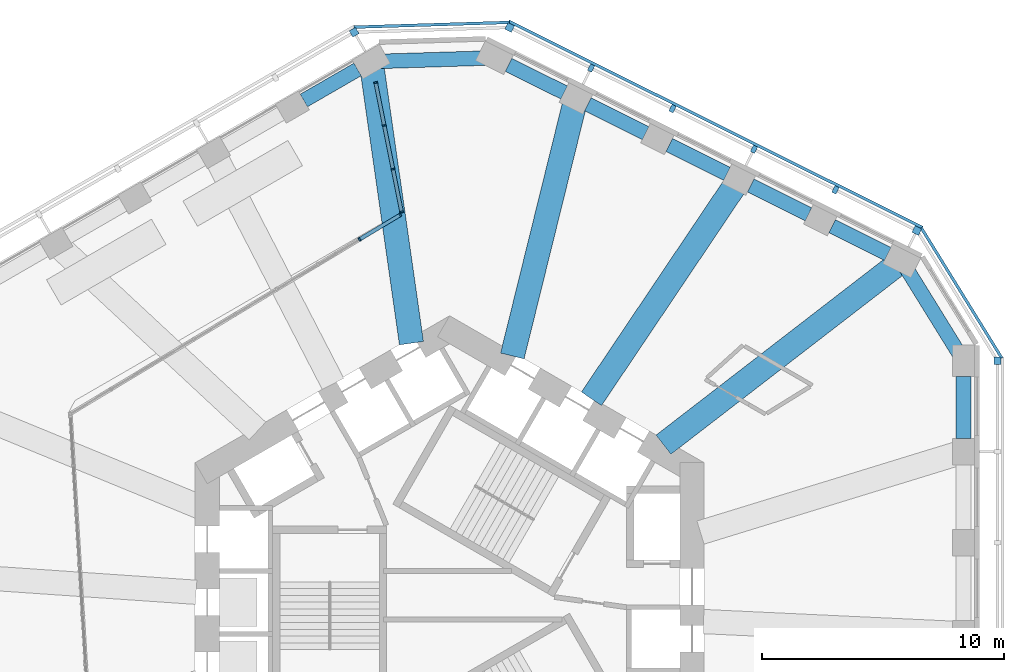
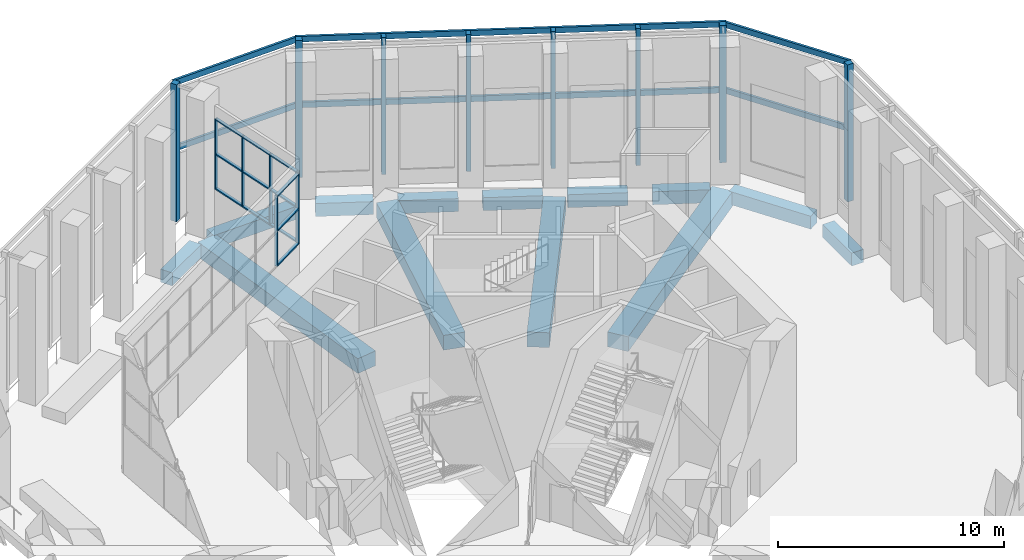
# One storey, part 7 of 19: 32 members, 13 beams, 7 elements without a shape of their own.
"""IFC4 building model written with IfcOpenShell, lengths in metres."""

from ifc_helpers import new_model, si_unit, direction, frame, origin, origin_2d, place, context, subcontext, project, spatial, rectangle, extrude, material, material_profile, profile_set, type_object, element, aggregate, save


model = new_model("IFC4")

# Units and contexts
model_context = context("Model", 3, precision=1e-05, world=origin(), true_north=direction((0.0, 1.0)))
body_context = subcontext(model_context, "Body", "Model", "MODEL_VIEW")
ifc_project = project(units=[si_unit("LENGTHUNIT", "METRE"), si_unit("AREAUNIT", "SQUARE_METRE"), si_unit("VOLUMEUNIT", "CUBIC_METRE"), si_unit("PLANEANGLEUNIT", "RADIAN"), si_unit("MASSUNIT", "GRAM", prefix="KILO")], contexts=[model_context])

# Site, building, storey
site_placement = place(None, origin())
site = spatial("IfcSite", under=ifc_project, at=site_placement, CompositionType="ELEMENT")
building_placement = place(site_placement, origin())
building = spatial("IfcBuilding", under=site, at=building_placement, Name="Vanh Sen Convention Tower", CompositionType="ELEMENT")
storey_placement = place(building_placement, frame((0.0, 0.0, 139.199951171875)))
storey = spatial("IfcBuildingStorey", under=building, at=storey_placement, Name="L34", CompositionType="ELEMENT", Elevation=139.199951171875)

# Curtain wall, members
ifc_material_1 = material(Name="Aluminium structural glazing system", Category="aluminium")
curtain_wall_type_1 = type_object("IfcCurtainWallType", Name="Sky garden structural glazing", PredefinedType="NOTDEFINED", material=ifc_material_1)
curtain_wall_1_placement = place(storey_placement, origin())
curtain_wall_1 = element("IfcCurtainWall", 1, at=curtain_wall_1_placement, inside=storey, type_object=curtain_wall_type_1, Name="Winter garden glazing 4 L34", PredefinedType="NOTDEFINED")
ifc_material_2 = material(Name="Aluminium mullion", Category="aluminium")
ifc_material_profile_1 = material_profile(ifc_material_2, rectangle(XDim=0.14990234375, YDim=0.070068359375, at=origin_2d()), Name="Garden glazing mullion 70 x 150")
ifc_profile_set_1 = profile_set([ifc_material_profile_1], Name="Aluminium mullion")
member_type_1 = type_object("IfcMemberType", Name="Garden glazing mullion 70 x 150", PredefinedType="MULLION", material=ifc_profile_set_1)
member_1_placement = place(storey_placement, frame((-3.716064453125, 15.2763671875, 2.60009765625), z_axis=(0.0, 0.0, 1.0), x_axis=(-0.516175887438, 0.856482605327, 0.0)))
member_1 = element("IfcMember", 2, at=member_1_placement, type_object=member_type_1, Name="CW5 mullion 8", PredefinedType="MULLION", context=body_context, shape_type="SweptSolid", body=[
    extrude(rectangle(XDim=0.14990234375, YDim=0.070068359375, at=origin_2d()), origin(), (0.0, 0.0, 1.0), 3.820068359375),
])
member_2_placement = place(storey_placement, frame((-2.035888671875, 16.288818359375, 2.60009765625), z_axis=(0.0, 0.0, 1.0), x_axis=(-0.516175887438, 0.856482605327, 0.0)))
member_2 = element("IfcMember", 3, at=member_2_placement, type_object=member_type_1, Name="CW5 mullion 9", PredefinedType="MULLION", context=body_context, shape_type="SweptSolid", body=[
    extrude(rectangle(XDim=0.14990234375, YDim=0.070068359375, at=origin_2d()), origin(), (0.0, 0.0, 1.0), 3.820068359375),
])

curtain_wall_2_placement = place(storey_placement, origin())
curtain_wall_2 = element("IfcCurtainWall", 4, at=curtain_wall_2_placement, inside=storey, type_object=curtain_wall_type_1, Name="Winter garden glazing 5 L34", PredefinedType="NOTDEFINED")
member_3_placement = place(storey_placement, frame((-1.981201171875, 16.412109375, 2.60009765625), z_axis=(0.0, 0.0, 1.0), x_axis=(-0.980445622684, -0.196790195284, 0.0)))
member_3 = element("IfcMember", 5, at=member_3_placement, type_object=member_type_1, Name="CW5 mullion 1", PredefinedType="MULLION", context=body_context, shape_type="SweptSolid", body=[
    extrude(rectangle(XDim=0.14990234375, YDim=0.070068359375, at=origin_2d()), origin(), (0.0, 0.0, 1.0), 3.820068359375),
])
member_4_placement = place(storey_placement, frame((-2.33544921875, 18.17724609375, 2.60009765625), z_axis=(0.0, 0.0, 1.0), x_axis=(-0.980445622684, -0.196790195284, 0.0)))
member_4 = element("IfcMember", 6, at=member_4_placement, type_object=member_type_1, Name="CW5 mullion 2", PredefinedType="MULLION", context=body_context, shape_type="SweptSolid", body=[
    extrude(rectangle(XDim=0.14990234375, YDim=0.070068359375, at=origin_2d()), origin(), (0.0, 0.0, 1.0), 3.820068359375),
])
member_5_placement = place(storey_placement, frame((-2.69677734375, 19.976806640625, 2.60009765625), z_axis=(0.0, 0.0, 1.0), x_axis=(-0.980445622684, -0.196790195284, 0.0)))
member_5 = element("IfcMember", 7, at=member_5_placement, type_object=member_type_1, Name="CW5 mullion 3", PredefinedType="MULLION", context=body_context, shape_type="SweptSolid", body=[
    extrude(rectangle(XDim=0.14990234375, YDim=0.070068359375, at=origin_2d()), origin(), (0.0, 0.0, 1.0), 3.820068359375),
])
member_6_placement = place(storey_placement, frame((-3.051025390625, 21.74169921875, 2.60009765625), z_axis=(0.0, 0.0, 1.0), x_axis=(-0.980445622684, -0.196790195284, 0.0)))
member_6 = element("IfcMember", 8, at=member_6_placement, type_object=member_type_1, Name="CW5 mullion 4", PredefinedType="MULLION", context=body_context, shape_type="SweptSolid", body=[
    extrude(rectangle(XDim=0.14990234375, YDim=0.070068359375, at=origin_2d()), origin(), (0.0, 0.0, 1.0), 3.820068359375),
])

# Member
ifc_material_3 = material(Name="Aluminium transom", Category="aluminium")
ifc_material_profile_2 = material_profile(ifc_material_3, rectangle(XDim=0.14990234375, YDim=0.070068359375, at=origin_2d()), Name="Garden glazing transom 150 x 70")
ifc_profile_set_2 = profile_set([ifc_material_profile_2], Name="Aluminium transom")
member_type_2 = type_object("IfcMemberType", Name="Garden glazing transom 150 x 70", PredefinedType="USERDEFINED", material=ifc_profile_set_2)
member_7_placement = place(storey_placement, frame((-3.68603515625, 15.29443359375, 2.635009765625), z_axis=(0.85650054286, 0.516146122799, 0.0), x_axis=(-0.516146122799, 0.85650054286, 0.0)))
member_7 = element("IfcMember", 9, at=member_7_placement, type_object=member_type_2, Name="CW5 transom 8.1", ObjectType="TRANSOM", PredefinedType="USERDEFINED", context=body_context, shape_type="SweptSolid", body=[
    extrude(rectangle(XDim=0.14990234375, YDim=0.070068359375, at=origin_2d()), origin(), (0.0, 0.0, 1.0), 1.8916015625),
])

member_8_placement = place(storey_placement, frame((-3.68603515625, 15.29443359375, 4.510009765625), z_axis=(0.85650054286, 0.516146122799, 0.0), x_axis=(-0.516146122799, 0.85650054286, 0.0)))
member_8 = element("IfcMember", 10, at=member_8_placement, type_object=member_type_2, Name="CW5 transom 8.2", ObjectType="TRANSOM", PredefinedType="USERDEFINED", context=body_context, shape_type="SweptSolid", body=[
    extrude(rectangle(XDim=0.14990234375, YDim=0.070068359375, at=origin_2d()), origin(), (0.0, 0.0, 1.0), 1.8916015625),
])

member_9_placement = place(storey_placement, frame((-3.68603515625, 15.29443359375, 6.385009765625), z_axis=(0.85650054286, 0.516146122799, 0.0), x_axis=(-0.516146122799, 0.85650054286, 0.0)))
member_9 = element("IfcMember", 11, at=member_9_placement, type_object=member_type_2, Name="CW5 transom 8.3", ObjectType="TRANSOM", PredefinedType="USERDEFINED", context=body_context, shape_type="SweptSolid", body=[
    extrude(rectangle(XDim=0.14990234375, YDim=0.070068359375, at=origin_2d()), origin(), (0.0, 0.0, 1.0), 1.8916015625),
])

aggregate(curtain_wall_1, [member_1, member_2, member_7, member_8, member_9])

member_10_placement = place(storey_placement, frame((-1.98828125, 16.446533203125, 2.635009765625), z_axis=(-0.196685907244, 0.980466549094, 0.0), x_axis=(-0.980466549094, -0.196685907244, 0.0)))
member_10 = element("IfcMember", 12, at=member_10_placement, type_object=member_type_2, Name="CW5 transom 1.1", ObjectType="TRANSOM", PredefinedType="USERDEFINED", context=body_context, shape_type="SweptSolid", body=[
    extrude(rectangle(XDim=0.14990234375, YDim=0.070068359375, at=origin_2d()), origin(), (0.0, 0.0, 1.0), 1.730224609375),
])

member_11_placement = place(storey_placement, frame((-1.98828125, 16.446533203125, 4.510009765625), z_axis=(-0.196685907244, 0.980466549094, 0.0), x_axis=(-0.980466549094, -0.196685907244, 0.0)))
member_11 = element("IfcMember", 13, at=member_11_placement, type_object=member_type_2, Name="CW5 transom 1.2", ObjectType="TRANSOM", PredefinedType="USERDEFINED", context=body_context, shape_type="SweptSolid", body=[
    extrude(rectangle(XDim=0.14990234375, YDim=0.070068359375, at=origin_2d()), origin(), (0.0, 0.0, 1.0), 1.730224609375),
])

member_12_placement = place(storey_placement, frame((-1.98828125, 16.446533203125, 6.385009765625), z_axis=(-0.196685907244, 0.980466549094, 0.0), x_axis=(-0.980466549094, -0.196685907244, 0.0)))
member_12 = element("IfcMember", 14, at=member_12_placement, type_object=member_type_2, Name="CW5 transom 1.3", ObjectType="TRANSOM", PredefinedType="USERDEFINED", context=body_context, shape_type="SweptSolid", body=[
    extrude(rectangle(XDim=0.14990234375, YDim=0.070068359375, at=origin_2d()), origin(), (0.0, 0.0, 1.0), 1.730224609375),
])

member_13_placement = place(storey_placement, frame((-2.342529296875, 18.211669921875, 2.635009765625), z_axis=(-0.196807609947, 0.980442127138, 0.0), x_axis=(-0.980442127138, -0.196807609947, 0.0)))
member_13 = element("IfcMember", 15, at=member_13_placement, type_object=member_type_2, Name="CW5 transom 2.1", ObjectType="TRANSOM", PredefinedType="USERDEFINED", context=body_context, shape_type="SweptSolid", body=[
    extrude(rectangle(XDim=0.14990234375, YDim=0.070068359375, at=origin_2d()), origin(), (0.0, 0.0, 1.0), 1.76513671875),
])

member_14_placement = place(storey_placement, frame((-2.342529296875, 18.211669921875, 4.510009765625), z_axis=(-0.196807609947, 0.980442127138, 0.0), x_axis=(-0.980442127138, -0.196807609947, 0.0)))
member_14 = element("IfcMember", 16, at=member_14_placement, type_object=member_type_2, Name="CW5 transom 2.2", ObjectType="TRANSOM", PredefinedType="USERDEFINED", context=body_context, shape_type="SweptSolid", body=[
    extrude(rectangle(XDim=0.14990234375, YDim=0.070068359375, at=origin_2d()), origin(), (0.0, 0.0, 1.0), 1.76513671875),
])

member_15_placement = place(storey_placement, frame((-2.342529296875, 18.211669921875, 6.385009765625), z_axis=(-0.196807609947, 0.980442127138, 0.0), x_axis=(-0.980442127138, -0.196807609947, 0.0)))
member_15 = element("IfcMember", 17, at=member_15_placement, type_object=member_type_2, Name="CW5 transom 2.3", ObjectType="TRANSOM", PredefinedType="USERDEFINED", context=body_context, shape_type="SweptSolid", body=[
    extrude(rectangle(XDim=0.14990234375, YDim=0.070068359375, at=origin_2d()), origin(), (0.0, 0.0, 1.0), 1.76513671875),
])

member_16_placement = place(storey_placement, frame((-2.70361328125, 20.010986328125, 2.635009765625), z_axis=(-0.196821537927, 0.980439331222, 0.0), x_axis=(-0.980439331222, -0.196821537927, 0.0)))
member_16 = element("IfcMember", 18, at=member_16_placement, type_object=member_type_2, Name="CW5 transom 3.1", ObjectType="TRANSOM", PredefinedType="USERDEFINED", context=body_context, shape_type="SweptSolid", body=[
    extrude(rectangle(XDim=0.14990234375, YDim=0.070068359375, at=origin_2d()), origin(), (0.0, 0.0, 1.0), 1.73046875),
])

member_17_placement = place(storey_placement, frame((-2.70361328125, 20.010986328125, 4.510009765625), z_axis=(-0.196821537927, 0.980439331222, 0.0), x_axis=(-0.980439331222, -0.196821537927, 0.0)))
member_17 = element("IfcMember", 19, at=member_17_placement, type_object=member_type_2, Name="CW5 transom 3.2", ObjectType="TRANSOM", PredefinedType="USERDEFINED", context=body_context, shape_type="SweptSolid", body=[
    extrude(rectangle(XDim=0.14990234375, YDim=0.070068359375, at=origin_2d()), origin(), (0.0, 0.0, 1.0), 1.73046875),
])

member_18_placement = place(storey_placement, frame((-2.70361328125, 20.010986328125, 6.385009765625), z_axis=(-0.196821537927, 0.980439331222, 0.0), x_axis=(-0.980439331222, -0.196821537927, 0.0)))
member_18 = element("IfcMember", 20, at=member_18_placement, type_object=member_type_2, Name="CW5 transom 3.3", ObjectType="TRANSOM", PredefinedType="USERDEFINED", context=body_context, shape_type="SweptSolid", body=[
    extrude(rectangle(XDim=0.14990234375, YDim=0.070068359375, at=origin_2d()), origin(), (0.0, 0.0, 1.0), 1.73046875),
])

aggregate(curtain_wall_2, [member_3, member_4, member_5, member_6, member_10, member_11, member_12, member_13, member_14, member_15, member_16, member_17, member_18])

# Curtain wall, member
ifc_material_4 = material(Name="Concrete C50/60", Category="concrete")
curtain_wall_type_2 = type_object("IfcCurtainWallType", Name="Outer skin office zone", PredefinedType="NOTDEFINED", material=ifc_material_4)
curtain_wall_3_placement = place(storey_placement, origin())
curtain_wall_3 = element("IfcCurtainWall", 21, at=curtain_wall_3_placement, inside=storey, type_object=curtain_wall_type_2, Name="OUTER SKIN E L34", PredefinedType="NOTDEFINED")
ifc_material_profile_3 = material_profile(ifc_material_4, rectangle(XDim=0.300048828125, YDim=0.300048828125, at=origin_2d()), Name="Outer skin precast corner fin 300 x 300")
ifc_profile_set_3 = profile_set([ifc_material_profile_3], Name="Concrete C50/60")
member_type_3 = type_object("IfcMemberType", Name="Outer skin precast corner fin 300 x 300", PredefinedType="MULLION", material=ifc_profile_set_3)
member_19_placement = place(storey_placement, frame((22.60009765625, 10.26953125, 0.0), z_axis=(0.0, 0.0, 1.0), x_axis=(0.0, 1.0, 0.0)))
member_19 = element("IfcMember", 22, at=member_19_placement, type_object=member_type_3, Name="OUTER SKIN CORNER FIN 6 E L34", PredefinedType="MULLION", context=body_context, shape_type="SweptSolid", body=[
    extrude(rectangle(XDim=0.300048828125, YDim=0.300048828125, at=origin_2d()), origin(), (0.0, 0.0, 1.0), 7.400146484375),
])
aggregate(curtain_wall_3, [member_19])

# Curtain wall, members
curtain_wall_4_placement = place(storey_placement, origin())
curtain_wall_4 = element("IfcCurtainWall", 23, at=curtain_wall_4_placement, inside=storey, type_object=curtain_wall_type_2, Name="OUTER SKIN NE L34", PredefinedType="NOTDEFINED")
member_20_placement = place(storey_placement, frame((19.274658203125, 15.643310546875, 0.0), z_axis=(0.0, 0.0, 1.0), x_axis=(-0.894934361602, 0.44619781311, 0.0)))
member_20 = element("IfcMember", 24, at=member_20_placement, type_object=member_type_3, Name="OUTER SKIN CORNER FIN 1 NE L34", PredefinedType="MULLION", context=body_context, shape_type="SweptSolid", body=[
    extrude(rectangle(XDim=0.300048828125, YDim=0.300048828125, at=origin_2d()), origin(), (0.0, 0.0, 1.0), 7.400146484375),
])
member_21_placement = place(storey_placement, frame((2.476318359375, 24.0185546875, 0.0), z_axis=(0.0, 0.0, 1.0), x_axis=(-0.894934361602, 0.44619781311, 0.0)))
member_21 = element("IfcMember", 25, at=member_21_placement, type_object=member_type_3, Name="OUTER SKIN CORNER FIN 6 NE L34", PredefinedType="MULLION", context=body_context, shape_type="SweptSolid", body=[
    extrude(rectangle(XDim=0.300048828125, YDim=0.300048828125, at=origin_2d()), origin(), (0.0, 0.0, 1.0), 7.400146484375),
])

# Curtain wall, member
curtain_wall_5_placement = place(storey_placement, origin())
curtain_wall_5 = element("IfcCurtainWall", 26, at=curtain_wall_5_placement, inside=storey, type_object=curtain_wall_type_2, Name="OUTER SKIN NW L34", PredefinedType="NOTDEFINED")
member_22_placement = place(storey_placement, frame((-3.93798828125, 23.822509765625, 0.0), z_axis=(0.0, 0.0, 1.0), x_axis=(-0.866025403784, -0.5, 0.0)))
member_22 = element("IfcMember", 27, at=member_22_placement, type_object=member_type_3, Name="OUTER SKIN CORNER FIN 1 NW L34", PredefinedType="MULLION", context=body_context, shape_type="SweptSolid", body=[
    extrude(rectangle(XDim=0.300048828125, YDim=0.300048828125, at=origin_2d()), origin(), (0.0, 0.0, 1.0), 7.400146484375),
])
aggregate(curtain_wall_5, [member_22])

# Member
ifc_material_profile_4 = material_profile(ifc_material_4, rectangle(XDim=0.199951171875, YDim=0.300048828125, at=origin_2d()), Name="Outer skin precast fin 200 x 300")
ifc_profile_set_4 = profile_set([ifc_material_profile_4], Name="Concrete C50/60")
member_type_4 = type_object("IfcMemberType", Name="Outer skin precast fin 200 x 300", PredefinedType="MULLION", material=ifc_profile_set_4)
member_23_placement = place(storey_placement, frame((15.9150390625, 17.318359375, 0.0), z_axis=(0.0, 0.0, 1.0), x_axis=(-0.894934361602, 0.44619781311, 0.0)))
member_23 = element("IfcMember", 28, at=member_23_placement, type_object=member_type_4, Name="OUTER SKIN fin 2 NE L34", PredefinedType="MULLION", context=body_context, shape_type="SweptSolid", body=[
    extrude(rectangle(XDim=0.199951171875, YDim=0.300048828125, at=origin_2d()), origin(), (0.0, 0.0, 1.0), 7.400146484375),
])

member_24_placement = place(storey_placement, frame((12.555419921875, 18.993408203125, 0.0), z_axis=(0.0, 0.0, 1.0), x_axis=(-0.894934361602, 0.44619781311, 0.0)))
member_24 = element("IfcMember", 29, at=member_24_placement, type_object=member_type_4, Name="OUTER SKIN fin 3 NE L34", PredefinedType="MULLION", context=body_context, shape_type="SweptSolid", body=[
    extrude(rectangle(XDim=0.199951171875, YDim=0.300048828125, at=origin_2d()), origin(), (0.0, 0.0, 1.0), 7.400146484375),
])

member_25_placement = place(storey_placement, frame((9.195556640625, 20.66845703125, 0.0), z_axis=(0.0, 0.0, 1.0), x_axis=(-0.894934361602, 0.44619781311, 0.0)))
member_25 = element("IfcMember", 30, at=member_25_placement, type_object=member_type_4, Name="OUTER SKIN fin 4 NE L34", PredefinedType="MULLION", context=body_context, shape_type="SweptSolid", body=[
    extrude(rectangle(XDim=0.199951171875, YDim=0.300048828125, at=origin_2d()), origin(), (0.0, 0.0, 1.0), 7.400146484375),
])

member_26_placement = place(storey_placement, frame((5.8359375, 22.343505859375, 0.0), z_axis=(0.0, 0.0, 1.0), x_axis=(-0.894934361602, 0.44619781311, 0.0)))
member_26 = element("IfcMember", 31, at=member_26_placement, type_object=member_type_4, Name="OUTER SKIN fin 5 NE L34", PredefinedType="MULLION", context=body_context, shape_type="SweptSolid", body=[
    extrude(rectangle(XDim=0.199951171875, YDim=0.300048828125, at=origin_2d()), origin(), (0.0, 0.0, 1.0), 7.400146484375),
])

# Curtain wall, members
curtain_wall_6_placement = place(storey_placement, origin())
curtain_wall_6 = element("IfcCurtainWall", 32, at=curtain_wall_6_placement, inside=storey, type_object=curtain_wall_type_2, Name="OUTER SKIN CH1 L34", PredefinedType="NOTDEFINED")
ifc_material_profile_5 = material_profile(ifc_material_4, rectangle(XDim=0.1201171875, YDim=0.300048828125, at=origin_2d()), Name="Outer skin precast spandrel band 300 x 120")
ifc_profile_set_5 = profile_set([ifc_material_profile_5], Name="Concrete C50/60")
member_type_5 = type_object("IfcMemberType", Name="Outer skin precast spandrel band 300 x 120", PredefinedType="USERDEFINED", material=ifc_profile_set_5)
member_27_placement = place(storey_placement, frame((22.778564453125, 10.3798828125, 7.25), z_axis=(-0.526173726926, 0.850377098171, 0.0), x_axis=(-0.850377098171, -0.526173726926, 0.0)))
member_27 = element("IfcMember", 33, at=member_27_placement, type_object=member_type_5, Name="OUTER SKIN spandrel band CH1 L34", ObjectType="TRANSOM", PredefinedType="USERDEFINED", context=body_context, shape_type="SweptSolid", body=[
    extrude(rectangle(XDim=0.1201171875, YDim=0.300048828125, at=origin_2d()), origin(), (0.0, 0.0, 1.0), 6.319580078125),
])
member_28_placement = place(storey_placement, frame((22.778564453125, 10.3798828125, 3.699951171875), z_axis=(-0.526173726926, 0.850377098171, 0.0), x_axis=(-0.850377098171, -0.526173726926, 0.0)))
member_28 = element("IfcMember", 34, at=member_28_placement, type_object=member_type_5, Name="OUTER SKIN spandrel band CH1 L34 mid", ObjectType="TRANSOM", PredefinedType="USERDEFINED", context=body_context, shape_type="SweptSolid", body=[
    extrude(rectangle(XDim=0.1201171875, YDim=0.300048828125, at=origin_2d()), origin(), (0.0, 0.0, 1.0), 6.319580078125),
])
aggregate(curtain_wall_6, [member_27, member_28])

# Member
member_29_placement = place(storey_placement, frame((19.502685546875, 15.764404296875, 7.25), z_axis=(-0.894941234474, 0.446184027996, 0.0), x_axis=(-0.446184027996, -0.894941234474, 0.0)))
member_29 = element("IfcMember", 35, at=member_29_placement, type_object=member_type_5, Name="OUTER SKIN spandrel band NE L34", ObjectType="TRANSOM", PredefinedType="USERDEFINED", context=body_context, shape_type="SweptSolid", body=[
    extrude(rectangle(XDim=0.1201171875, YDim=0.300048828125, at=origin_2d()), origin(), (0.0, 0.0, 1.0), 19.07080078125),
])

member_30_placement = place(storey_placement, frame((19.502685546875, 15.764404296875, 3.699951171875), z_axis=(-0.894941234474, 0.446184027996, 0.0), x_axis=(-0.446184027996, -0.894941234474, 0.0)))
member_30 = element("IfcMember", 36, at=member_30_placement, type_object=member_type_5, Name="OUTER SKIN spandrel band NE L34 mid", ObjectType="TRANSOM", PredefinedType="USERDEFINED", context=body_context, shape_type="SweptSolid", body=[
    extrude(rectangle(XDim=0.1201171875, YDim=0.300048828125, at=origin_2d()), origin(), (0.0, 0.0, 1.0), 19.07080078125),
])

aggregate(curtain_wall_4, [member_20, member_23, member_24, member_25, member_26, member_21, member_29, member_30])

# Curtain wall, members
curtain_wall_7_placement = place(storey_placement, origin())
curtain_wall_7 = element("IfcCurtainWall", 37, at=curtain_wall_7_placement, inside=storey, type_object=curtain_wall_type_2, Name="OUTER SKIN CH2 L34", PredefinedType="NOTDEFINED")
member_31_placement = place(storey_placement, frame((2.4697265625, 24.228515625, 7.25), z_axis=(-0.999533221695, -0.030550592913, 0.0), x_axis=(0.030550592913, -0.999533221695, 0.0)))
member_31 = element("IfcMember", 38, at=member_31_placement, type_object=member_type_5, Name="OUTER SKIN spandrel band CH2 L34", ObjectType="TRANSOM", PredefinedType="USERDEFINED", context=body_context, shape_type="SweptSolid", body=[
    extrude(rectangle(XDim=0.1201171875, YDim=0.300048828125, at=origin_2d()), origin(), (0.0, 0.0, 1.0), 6.4169921875),
])
member_32_placement = place(storey_placement, frame((2.4697265625, 24.228515625, 3.699951171875), z_axis=(-0.999533221695, -0.030550592913, 0.0), x_axis=(0.030550592913, -0.999533221695, 0.0)))
member_32 = element("IfcMember", 39, at=member_32_placement, type_object=member_type_5, Name="OUTER SKIN spandrel band CH2 L34 mid", ObjectType="TRANSOM", PredefinedType="USERDEFINED", context=body_context, shape_type="SweptSolid", body=[
    extrude(rectangle(XDim=0.1201171875, YDim=0.300048828125, at=origin_2d()), origin(), (0.0, 0.0, 1.0), 6.4169921875),
])
aggregate(curtain_wall_7, [member_31, member_32])

# Beams
ifc_material_5 = material(Name="Concrete C50/60", Category="concrete")
ifc_material_profile_6 = material_profile(ifc_material_5, rectangle(XDim=1.0, YDim=0.800048828125, at=origin_2d()), Name="RC 1000X800")
ifc_profile_set_6 = profile_set([ifc_material_profile_6], Name="Concrete C50/60")
beam_type_1 = type_object("IfcBeamType", Name="Radial floor beam 1000 x 800", PredefinedType="BEAM", material=ifc_profile_set_6)
beam_1_placement = place(storey_placement, frame((18.449951171875, 14.236083984375, -0.75), z_axis=(-0.79170818872, -0.610899454832, 0.0), x_axis=(0.610899454832, -0.79170818872, 0.0)))
element("IfcBeam", 40, at=beam_1_placement, inside=storey, type_object=beam_type_1, Name="Radial beam 04 L34", PredefinedType="BEAM", context=body_context, shape_type="SweptSolid", body=[
    extrude(rectangle(XDim=1.0, YDim=0.800048828125, at=origin_2d()), origin(), (0.0, 0.0, 1.0), 12.161865234375),
])
beam_2_placement = place(storey_placement, frame((11.716552734375, 17.422119140625, -0.75), z_axis=(-0.558062126182, -0.829799170475, 0.0), x_axis=(0.829799170475, -0.558062126182, 0.0)))
element("IfcBeam", 41, at=beam_2_placement, inside=storey, type_object=beam_type_1, Name="Radial beam 05 L34", PredefinedType="BEAM", context=body_context, shape_type="SweptSolid", body=[
    extrude(rectangle(XDim=1.0, YDim=0.800048828125, at=origin_2d()), origin(), (0.0, 0.0, 1.0), 10.510009765625),
])
beam_3_placement = place(storey_placement, frame((5.144287109375, 20.81982421875, -0.75), z_axis=(-0.239868649212, -0.970805351821, 0.0), x_axis=(0.970805351821, -0.239868649212, 0.0)))
element("IfcBeam", 42, at=beam_3_placement, inside=storey, type_object=beam_type_1, Name="Radial beam 06 L34", PredefinedType="BEAM", context=body_context, shape_type="SweptSolid", body=[
    extrude(rectangle(XDim=1.0, YDim=0.800048828125, at=origin_2d()), origin(), (0.0, 0.0, 1.0), 10.66552734375),
])
beam_4_placement = place(storey_placement, frame((-3.1982421875, 22.333740234375, -0.75), z_axis=(0.141740638319, -0.989903829394, 0.0), x_axis=(0.989903829394, 0.141740638319, 0.0)))
element("IfcBeam", 43, at=beam_4_placement, inside=storey, type_object=beam_type_1, Name="Radial beam 07 L34", PredefinedType="BEAM", context=body_context, shape_type="SweptSolid", body=[
    extrude(rectangle(XDim=1.0, YDim=0.800048828125, at=origin_2d()), origin(), (0.0, 0.0, 1.0), 11.454345703125),
])
ifc_material_profile_7 = material_profile(ifc_material_5, rectangle(XDim=0.60009765625, YDim=0.699951171875, at=origin_2d()), Name="RC 600X700")
ifc_profile_set_7 = profile_set([ifc_material_profile_7], Name="Concrete C50/60")
beam_type_2 = type_object("IfcBeamType", Name="Spandrel beam 600 x 700", PredefinedType="SPANDREL", material=ifc_profile_set_7)
beam_5_placement = place(storey_placement, frame((21.199951171875, 7.060302734375, -0.699951171875), z_axis=(0.0, 1.0, 0.0), x_axis=(-1.0, 0.0, 0.0)))
element("IfcBeam", 44, at=beam_5_placement, inside=storey, type_object=beam_type_2, Name="Spandrel beam 05 L34", PredefinedType="SPANDREL", context=body_context, shape_type="SweptSolid", body=[
    extrude(rectangle(XDim=0.60009765625, YDim=0.699951171875, at=origin_2d()), origin(), (0.0, 0.0, 1.0), 2.564208984375),
])
beam_6_placement = place(storey_placement, frame((21.0078125, 10.580078125, -0.699951171875), z_axis=(-0.526207559999, 0.850356162911, 0.0), x_axis=(-0.850356162911, -0.526207559999, 0.0)))
element("IfcBeam", 45, at=beam_6_placement, inside=storey, type_object=beam_type_2, Name="Spandrel beam 06 L34", PredefinedType="SPANDREL", context=body_context, shape_type="SweptSolid", body=[
    extrude(rectangle(XDim=0.60009765625, YDim=0.699951171875, at=origin_2d()), origin(), (0.0, 0.0, 1.0), 4.115234375),
])
beam_7_placement = place(storey_placement, frame((18.07275390625, 14.67822265625, -0.699951171875), z_axis=(-0.894940769459, 0.446184960707, 0.0), x_axis=(-0.446184960707, -0.894940769459, 0.0)))
element("IfcBeam", 46, at=beam_7_placement, inside=storey, type_object=beam_type_2, Name="Spandrel beam 07 L34", PredefinedType="SPANDREL", context=body_context, shape_type="SweptSolid", body=[
    extrude(rectangle(XDim=0.60009765625, YDim=0.699951171875, at=origin_2d()), origin(), (0.0, 0.0, 1.0), 2.56396484375),
])
for number, where, z_axis, x_axis, name in (
    (47, (14.802490234375, 16.30859375, -0.699951171875), (-0.894939776695, 0.446186951948, 0.0), (-0.446186951948, -0.894939776695, 0.0), "Spandrel beam 08 L34"),
    (48, (11.44287109375, 17.983642578125, -0.699951171875), (-0.894939776695, 0.446186951948, 0.0), (-0.446186951948, -0.894939776695, 0.0), "Spandrel beam 09 L34"),
    (49, (8.083251953125, 19.65869140625, -0.699951171875), (-0.894939776695, 0.446186951948, 0.0), (-0.446186951948, -0.894939776695, 0.0), "Spandrel beam 10 L34"),
):
    element("IfcBeam", number, at=place(storey_placement, frame(where, z_axis=z_axis, x_axis=x_axis)), inside=storey, type_object=beam_type_2, Name=name, PredefinedType="SPANDREL", context=body_context, shape_type="SweptSolid", body=[
        extrude(rectangle(XDim=0.60009765625, YDim=0.699951171875, at=origin_2d()), origin(), (0.0, 0.0, 1.0), 2.6640625),
    ])
beam_8_placement = place(storey_placement, frame((4.723388671875, 21.333984375, -0.699951171875), z_axis=(-0.894978788678, 0.446108695069, 0.0), x_axis=(-0.446108695069, -0.894978788678, 0.0)))
element("IfcBeam", 50, at=beam_8_placement, inside=storey, type_object=beam_type_2, Name="Spandrel beam 11 L34", PredefinedType="SPANDREL", context=body_context, shape_type="SweptSolid", body=[
    extrude(rectangle(XDim=0.60009765625, YDim=0.699951171875, at=origin_2d()), origin(), (0.0, 0.0, 1.0), 2.56396484375),
])
beam_9_placement = place(storey_placement, frame((1.46435546875, 22.75390625, -0.699951171875), z_axis=(-0.999533572777, -0.030539104294, 0.0), x_axis=(0.030539104294, -0.999533572777, 0.0)))
element("IfcBeam", 51, at=beam_9_placement, inside=storey, type_object=beam_type_2, Name="Spandrel beam 12 L34", PredefinedType="SPANDREL", context=body_context, shape_type="SweptSolid", body=[
    extrude(rectangle(XDim=0.60009765625, YDim=0.699951171875, at=origin_2d()), origin(), (0.0, 0.0, 1.0), 4.31689453125),
])
beam_10_placement = place(storey_placement, frame((-3.79638671875, 22.28759765625, -0.699951171875), z_axis=(-0.866049234614, -0.499958721521, 0.0), x_axis=(0.499958721521, -0.866049234614, 0.0)))
element("IfcBeam", 52, at=beam_10_placement, inside=storey, type_object=beam_type_2, Name="Spandrel beam 13 L34", PredefinedType="SPANDREL", context=body_context, shape_type="SweptSolid", body=[
    extrude(rectangle(XDim=0.60009765625, YDim=0.699951171875, at=origin_2d()), origin(), (0.0, 0.0, 1.0), 2.564208984375),
])

save(model, "model.ifc")
